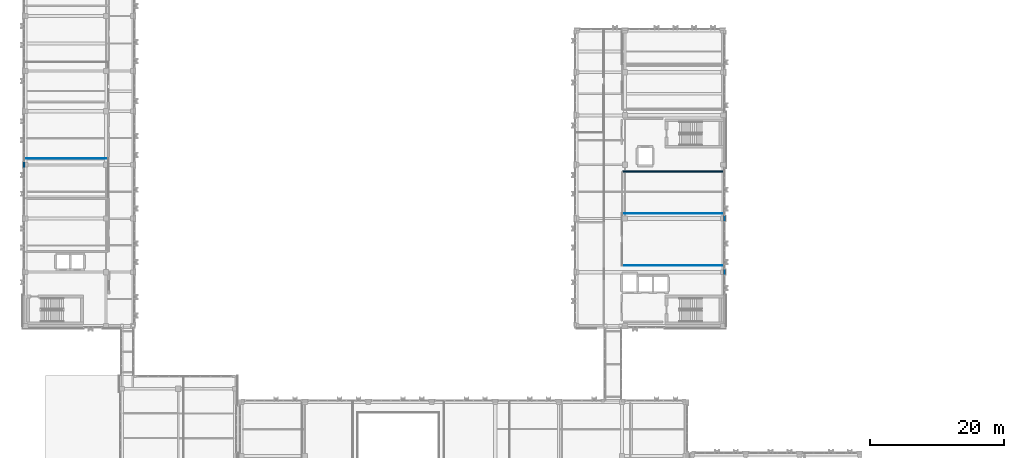
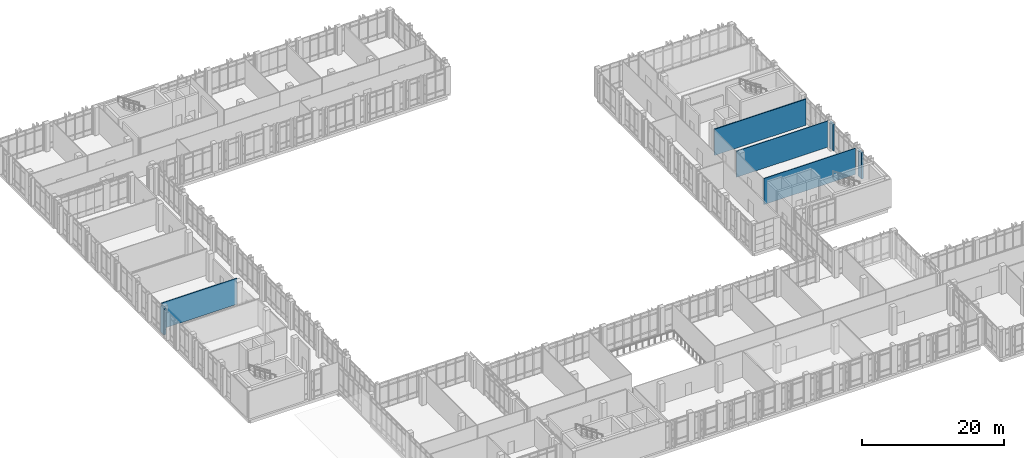
# One storey, part 155 of 189: 7 walls.
"""IFC4 building model written with IfcOpenShell, lengths in metres."""

from ifc_helpers import new_model, si_unit, direction, frame, frame_2d, origin, place, context, subcontext, project, spatial, rectangle, extrude, material, layer, layer_set, type_object, element, save


model = new_model("IFC4")

# Units and contexts
model_context = context("Model", 3, precision=1e-05, world=origin(), true_north=direction((0.0, 1.0)))
body_context = subcontext(model_context, "Body", "Model", "MODEL_VIEW")
ifc_project = project(units=[si_unit("LENGTHUNIT", "METRE"), si_unit("AREAUNIT", "SQUARE_METRE"), si_unit("VOLUMEUNIT", "CUBIC_METRE"), si_unit("PLANEANGLEUNIT", "RADIAN"), si_unit("MASSUNIT", "GRAM", prefix="KILO")], contexts=[model_context])

# Site, building, storey
site_placement = place(None, origin())
site = spatial("IfcSite", under=ifc_project, at=site_placement, CompositionType="ELEMENT")
building_placement = place(site_placement, origin())
building = spatial("IfcBuilding", under=site, at=building_placement, Name="Qalavern Law Courts", CompositionType="ELEMENT")
storey_placement = place(building_placement, frame((0.0, 0.0, 5.39990234375)))
storey = spatial("IfcBuildingStorey", under=building, at=storey_placement, Name="L01", CompositionType="ELEMENT", Elevation=5.39990234375)

# Walls
ifc_material_1 = material(Name="Concrete C40/50", Category="concrete")
ifc_layer_1 = layer(ifc_material_1, 0.324951171875)
ifc_layer_set_1 = layer_set([ifc_layer_1], Name="Concrete C40/50")
wall_type_1 = type_object("IfcWallType", Name="ENV-EW-325", PredefinedType="SOLIDWALL", material=ifc_layer_set_1)
for number, where, z_axis, x_axis, name in (
    (1, (2.16259765625, 65.89990234375, 0.0), (0.0, 0.0, 1.0), (0.0, -1.0, 0.0), "V3 exterior pier wall L01 west 5"),
    (2, (106.637451171875, 48.89990234375, 0.0), (0.0, 0.0, 1.0), (0.0, 1.0, 0.0), "V4 exterior pier wall L01 east 2"),
    (3, (106.637451171875, 56.89990234375, 0.0), (0.0, 0.0, 1.0), (0.0, 1.0, 0.0), "V4 exterior pier wall L01 east 3"),
):
    element("IfcWall", number, at=place(storey_placement, frame(where, z_axis=z_axis, x_axis=x_axis)), inside=storey, type_object=wall_type_1, Name=name, PredefinedType="SOLIDWALL", context=body_context, shape_type="SweptSolid", body=[
        extrude(rectangle(XDim=1.0, YDim=0.324951171875, at=frame_2d((0.5, 0.0))), origin(), (0.0, 0.0, 1.0), 4.510009765625),
    ])
ifc_material_2 = material(Name="Gypsum shaft/chase partition")
ifc_layer_2 = layer(ifc_material_2, 0.092041015625)
ifc_layer_set_2 = layer_set([ifc_layer_2], Name="Gypsum shaft/chase partition")
wall_type_2 = type_object("IfcWallType", Name="INT-PW-092", PredefinedType="PARTITIONING", material=ifc_layer_set_2)
wall_1_placement = place(storey_placement, frame((2.43994140625, 66.3740234375, 0.0), z_axis=(0.0, 0.0, 1.0), x_axis=(1.0, 0.0, 0.0)))
element("IfcWall", 4, at=wall_1_placement, inside=storey, type_object=wall_type_2, Name="Criminal Courtroom cross partition L01 north", PredefinedType="PARTITIONING", context=body_context, shape_type="SweptSolid", body=[
    extrude(rectangle(XDim=12.2841796875, YDim=0.092041015625, at=frame_2d((6.14208984375, 0.0))), origin(), (0.0, 0.0, 1.0), 4.510009765625),
])
ifc_material_3 = material(Name="Gypsum sanitary partition")
ifc_layer_3 = layer(ifc_material_3, 0.10205078125)
ifc_layer_set_3 = layer_set([ifc_layer_3], Name="Gypsum sanitary partition")
wall_type_3 = type_object("IfcWallType", Name="INT-PW-102", PredefinedType="PARTITIONING", material=ifc_layer_set_3)
for number, where, z_axis, x_axis, name in (
    (5, (91.430908203125, 50.389892578125, 0.0), (0.0, 0.0, 1.0), (1.0, 0.0, 0.0), "Counsel Consultation Room cross partition L01 south"),
    (6, (91.430908203125, 58.1650390625, 0.0), (0.0, 0.0, 1.0), (1.0, 0.0, 0.0), "Counsel Consultation Room cross partition L01 north"),
):
    element("IfcWall", number, at=place(storey_placement, frame(where, z_axis=z_axis, x_axis=x_axis)), inside=storey, type_object=wall_type_3, Name=name, PredefinedType="PARTITIONING", context=body_context, shape_type="SweptSolid", body=[
        extrude(rectangle(XDim=14.92919921875, YDim=0.10205078125, at=frame_2d((7.464599609375, 0.0))), origin(), (0.0, 0.0, 1.0), 4.510009765625),
    ])
ifc_material_4 = material(Name="Gypsum stud partition")
ifc_layer_4 = layer(ifc_material_4, 0.162109375)
ifc_layer_set_4 = layer_set([ifc_layer_4], Name="Gypsum stud partition")
wall_type_4 = type_object("IfcWallType", Name="INT-PW-162", PredefinedType="PARTITIONING", material=ifc_layer_set_4)
wall_2_placement = place(storey_placement, frame((91.4609375, 64.409912109375, 0.0), z_axis=(0.0, 0.0, 1.0), x_axis=(1.0, 0.0, 0.0)))
element("IfcWall", 7, at=wall_2_placement, inside=storey, type_object=wall_type_4, Name="Public WC cross partition L01 north", PredefinedType="PARTITIONING", context=body_context, shape_type="SweptSolid", body=[
    extrude(rectangle(XDim=14.899169921875, YDim=0.162109375, at=frame_2d((7.44970703125, 0.0))), origin(), (0.0, 0.0, 1.0), 4.510009765625),
])

save(model, "model.ifc")
